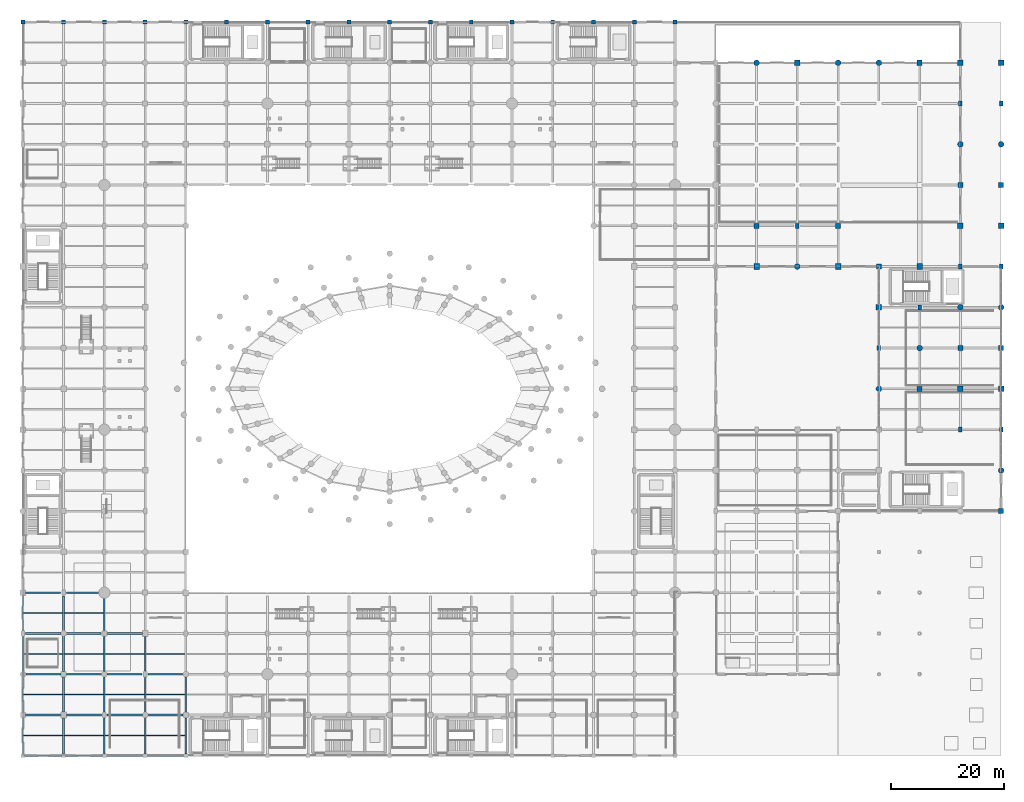
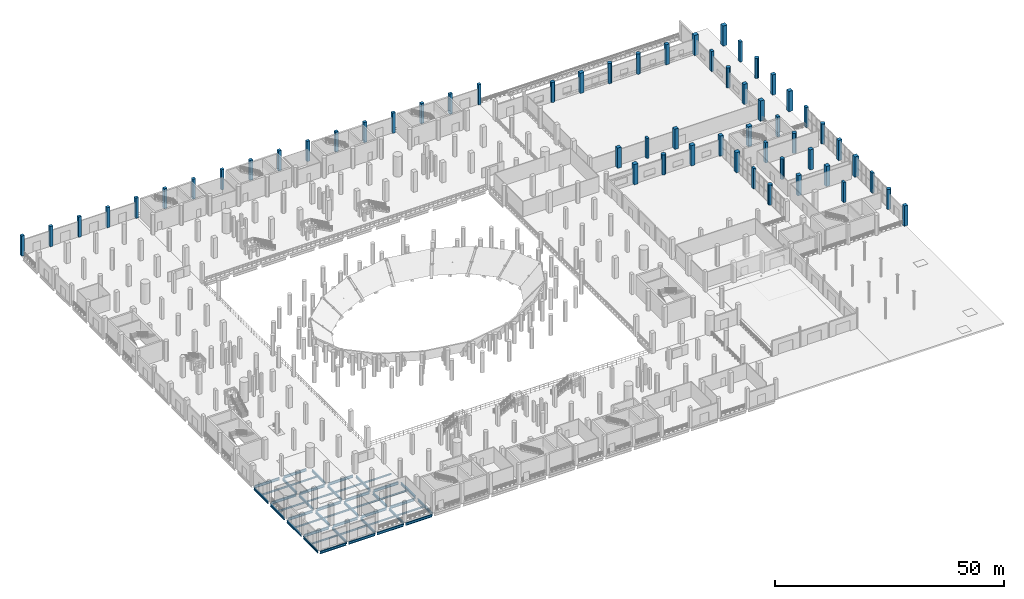
# One storey, part 5 of 58: 58 columns, 48 beams.
"""IFC4 building model written with IfcOpenShell, lengths in metres."""

import ifcopenshell
import ifcopenshell.guid

model = None  # the IFC model being written
_history = None  # IfcOwnerHistory: only IFC2X3 demands one
_inside = {}  # id of a spatial element -> (the spatial element, [elements in it])
_under = {}  # id of a project, library or spatial element -> (it, [spatial elements below it])
_declared = {}  # id of a project -> (the project, [libraries it declares])
_typed = {}  # id of a type object -> (the type object, [elements of that type])
_made_of = {}  # id of a material, layer set ... -> (it, [elements and type objects made of it])


def new_model(schema):
    """Start an empty IFC model of exactly this schema.

    Asked for "IFC4X3", IfcOpenShell would pick the latest addendum, in which some entities
    have other attributes; the version numbers below select the first issue.
    IFC2X3 requires an IfcOwnerHistory on every rooted entity: one is made here for all.
    """
    global model, _history
    if schema == "IFC4X3":
        model = ifcopenshell.file(schema_version=(4, 3, 0, 0))
    else:
        model = ifcopenshell.file(schema=schema)
    _inside.clear()
    _under.clear()
    _declared.clear()
    _typed.clear()
    _made_of.clear()
    _history = None
    if model.schema == "IFC2X3":
        org = make("IfcOrganization", Name="unknown")
        user = make(
            "IfcPersonAndOrganization",
            ThePerson=make("IfcPerson", FamilyName="unknown"),
            TheOrganization=org,
        )
        app = make(
            "IfcApplication",
            ApplicationDeveloper=org,
            Version="unknown",
            ApplicationFullName="unknown",
            ApplicationIdentifier="unknown",
        )
        _history = make(
            "IfcOwnerHistory",
            OwningUser=user,
            OwningApplication=app,
            ChangeAction="ADDED",
            CreationDate=0,
        )
    return model


def make(cls, **values):
    """One entity of the class cls with the attributes given. An attribute that is None is left unset."""
    return model.create_entity(
        cls, **{name: value for name, value in values.items() if value is not None}
    )


def rooted(cls, **values):
    """An entity with a GlobalId (a new one), such as an element, a storey or a relation."""
    return make(cls, GlobalId=ifcopenshell.guid.new(), OwnerHistory=_history, **values)


def si_unit(unit_type, name, prefix=None):
    """IfcSIUnit, for example si_unit("LENGTHUNIT", "METRE", prefix="MILLI")."""
    return make("IfcSIUnit", UnitType=unit_type, Prefix=prefix, Name=name)


def assignment(units):
    """IfcUnitAssignment: the units of a project."""
    return None if units is None else make("IfcUnitAssignment", Units=units)


def point(xyz):
    """IfcCartesianPoint."""
    return None if xyz is None else make("IfcCartesianPoint", Coordinates=xyz)


def direction(xyz):
    """IfcDirection."""
    return None if xyz is None else make("IfcDirection", DirectionRatios=xyz)


def frame(location, z_axis=None, x_axis=None):
    """IfcAxis2Placement3D, a coordinate frame: its origin and axes. An axis left out is left unset."""
    return make(
        "IfcAxis2Placement3D",
        Location=point(location),
        Axis=direction(z_axis),
        RefDirection=direction(x_axis),
    )


def frame_2d(location, x_axis=None):
    """IfcAxis2Placement2D, a coordinate frame in the plane: its origin and x axis."""
    return make(
        "IfcAxis2Placement2D", Location=point(location), RefDirection=direction(x_axis)
    )


def origin():
    """The frame at (0, 0, 0) with its axes left unset."""
    return frame((0.0, 0.0, 0.0))


def origin_2d():
    """The frame at (0, 0) in the plane with its x axis left unset."""
    return frame_2d((0.0, 0.0))


def place(relative_to, where):
    """IfcLocalPlacement: puts the frame where relative to a parent placement (None: the world)."""
    return make(
        "IfcLocalPlacement", PlacementRelTo=relative_to, RelativePlacement=where
    )


def context(
    kind, dimensions, precision=None, world=None, true_north=None, identifier=None
):
    """IfcGeometricRepresentationContext, for example the 3D "Model" context."""
    return make(
        "IfcGeometricRepresentationContext",
        ContextIdentifier=identifier,
        ContextType=kind,
        CoordinateSpaceDimension=dimensions,
        Precision=precision,
        WorldCoordinateSystem=world,
        TrueNorth=true_north,
    )


def subcontext(parent, identifier, kind, view, scale=None):
    """IfcGeometricRepresentationSubContext, for example "Body" below "Model"."""
    return make(
        "IfcGeometricRepresentationSubContext",
        ContextIdentifier=identifier,
        ContextType=kind,
        ParentContext=parent,
        TargetScale=scale,
        TargetView=view,
    )


def project(units=None, contexts=None):
    """IfcProject with its units and contexts."""
    return rooted(
        "IfcProject",
        Name="project",
        RepresentationContexts=contexts,
        UnitsInContext=assignment(units),
    )


def spatial(cls, under=None, at=None, **own):
    """A site, building, storey or space (cls), placed at a placement, below another one or the project."""
    s = rooted(cls, ObjectPlacement=at, **own)
    if under is not None:
        _under.setdefault(under.id(), (under, []))[1].append(s)
    return s


def profile(cls, at=None, kind="AREA", **sizes):
    """A parametric profile (cls). Its sizes go by their IFC names, for example OverallWidth=200.0."""
    return make(cls, ProfileType=kind, Position=at, **sizes)


def rectangle(**sizes):
    """IfcRectangleProfileDef."""
    return profile("IfcRectangleProfileDef", **sizes)


def circle(**sizes):
    """IfcCircleProfileDef."""
    return profile("IfcCircleProfileDef", **sizes)


def i_section(**sizes):
    """IfcIShapeProfileDef."""
    return profile("IfcIShapeProfileDef", **sizes)


def extrude(swept, where, along, depth):
    """IfcExtrudedAreaSolid: the profile swept, set in the frame where, extruded along a direction by depth."""
    return make(
        "IfcExtrudedAreaSolid",
        SweptArea=swept,
        Position=where,
        ExtrudedDirection=direction(along),
        Depth=depth,
    )


def shape(context_of_items, identifier, shape_type, items):
    """IfcShapeRepresentation: the items that make up one representation, for example the "Body"."""
    return make(
        "IfcShapeRepresentation",
        ContextOfItems=context_of_items,
        RepresentationIdentifier=identifier,
        RepresentationType=shape_type,
        Items=items,
    )


def material(Name=None, Category=None):
    """IfcMaterial."""
    return make("IfcMaterial", Name=Name, Category=Category)


def material_profile(
    of_material, cross_section, Name=None, Category=None, Priority=None
):
    """IfcMaterialProfile: a cross section and its material."""
    return make(
        "IfcMaterialProfile",
        Name=Name,
        Material=of_material,
        Profile=cross_section,
        Priority=Priority,
        Category=Category,
    )


def profile_set(profiles, Name=None, composite=None):
    """IfcMaterialProfileSet."""
    return make(
        "IfcMaterialProfileSet",
        Name=Name,
        MaterialProfiles=profiles,
        CompositeProfile=composite,
    )


def made_of(thing, what):
    """Note that an element or type object is made of a material, layer set ...; save() writes the relation."""
    if what is not None:
        _made_of.setdefault(what.id(), (what, []))[1].append(thing)
    return thing


def type_object(cls, material=None, **own):
    """A type object (cls), such as IfcWallType, which elements share."""
    return made_of(rooted(cls, **own), material)


def element(
    cls,
    number,
    at=None,
    inside=None,
    cuts=None,
    type_object=None,
    material=None,
    context=None,
    identifier="Body",
    shape_type=None,
    held_by="IfcProductDefinitionShape",
    body=None,
    shapes=None,
    **own,
):
    """One element of the class cls, such as IfcWall. Its Tag is "e" and its number.

    at: its placement. inside: the storey or other place that contains it. cuts: it is an
    opening in that element (IfcRelVoidsElement). A single representation is given by context,
    identifier, shape_type and body (its items); several are given by shapes. held_by: the class
    of the entity that holds the representations. save() writes the other relations.
    """
    e = rooted(cls, Tag="e%d" % number, ObjectPlacement=at, **own)
    if body is not None:
        shapes = [shape(context, identifier, shape_type, body)]
    if shapes is not None:
        e.Representation = make(held_by, Representations=shapes)
    if inside is not None:
        _inside.setdefault(inside.id(), (inside, []))[1].append(e)
    if cuts is not None:
        rooted(
            "IfcRelVoidsElement", RelatingBuildingElement=cuts, RelatedOpeningElement=e
        )
    if type_object is not None:
        _typed.setdefault(type_object.id(), (type_object, []))[1].append(e)
    return made_of(e, material)


def aggregate(whole, parts):
    """IfcRelAggregates: a whole, such as a stair, and the parts it consists of."""
    return rooted("IfcRelAggregates", RelatingObject=whole, RelatedObjects=parts)


def save(model, path):
    """Write the relations noted so far, then the file.

    IfcRelAggregates (storeys below a building ...), IfcRelContainedInSpatialStructure (elements
    in a storey), IfcRelDefinesByType, IfcRelAssociatesMaterial and IfcRelDeclares: one each for
    every whole, place, type object, material and project.
    """
    for whole, parts in _under.values():
        aggregate(whole, parts)
    for where, things in _inside.values():
        rooted(
            "IfcRelContainedInSpatialStructure",
            RelatedElements=things,
            RelatingStructure=where,
        )
    for kind, things in _typed.values():
        rooted("IfcRelDefinesByType", RelatedObjects=things, RelatingType=kind)
    for what, things in _made_of.values():
        rooted("IfcRelAssociatesMaterial", RelatedObjects=things, RelatingMaterial=what)
    for by, libraries in _declared.values():
        rooted("IfcRelDeclares", RelatingContext=by, RelatedDefinitions=libraries)
    model.write(path)


model = new_model("IFC4")

# Units and contexts
model_context = context("Model", 3, precision=1e-05, world=origin(), true_north=direction((0.0, 1.0)))
body_context = subcontext(model_context, "Body", "Model", "MODEL_VIEW")
ifc_project = project(units=[si_unit("LENGTHUNIT", "METRE"), si_unit("AREAUNIT", "SQUARE_METRE"), si_unit("VOLUMEUNIT", "CUBIC_METRE"), si_unit("PLANEANGLEUNIT", "RADIAN"), si_unit("MASSUNIT", "GRAM", prefix="KILO")], contexts=[model_context])

# Site, building, storey
site_placement = place(None, origin())
site = spatial("IfcSite", under=ifc_project, at=site_placement, CompositionType="ELEMENT")
building_placement = place(site_placement, origin())
building = spatial("IfcBuilding", under=site, at=building_placement, Name="Qandorah Velis Arena", CompositionType="ELEMENT")
storey_placement = place(building_placement, origin())
storey = spatial("IfcBuildingStorey", under=building, at=storey_placement, Name="L00", CompositionType="ELEMENT", Elevation=0.0)

# Columns
ifc_material_1 = material(Name="Concrete C40/50", Category="concrete")
ifc_material_profile_1 = material_profile(ifc_material_1, rectangle(XDim=1.0, YDim=1.0, at=origin_2d()), Name="RC COL 1000x1000")
ifc_profile_set_1 = profile_set([ifc_material_profile_1], Name="Concrete C40/50")
column_type_1 = type_object("IfcColumnType", Name="STR-COL-RC1000", PredefinedType="COLUMN", material=ifc_profile_set_1)
for number, where, z_axis, x_axis, name in (
    (1, (129.60009765625, 86.39990234375, 0.0), (0.0, 0.0, 1.0), (1.0, 0.0, 0.0), "Structural column L00-224"),
    (2, (136.800048828125, 122.39990234375, 0.0), (0.0, 0.0, 1.0), (1.0, 0.0, 0.0), "Structural column L00-232"),
    (3, (144.0, 86.39990234375, 0.0), (0.0, 0.0, 1.0), (1.0, 0.0, 0.0), "Structural column L00-240"),
    (4, (151.199951171875, 79.199951171875, 0.0), (0.0, 0.0, 1.0), (1.0, 0.0, 0.0), "Structural column L00-252"),
    (5, (158.39990234375, 86.39990234375, 0.0), (0.0, 0.0, 1.0), (1.0, 0.0, 0.0), "Structural column L00-260"),
    (6, (165.60009765625, 64.800048828125, 0.0), (0.0, 0.0, 1.0), (1.0, 0.0, 0.0), "Structural column L00-264"),
    (7, (165.60009765625, 93.60009765625, 0.0), (0.0, 0.0, 1.0), (1.0, 0.0, 0.0), "Structural column L00-268"),
    (8, (165.60009765625, 122.39990234375, 0.0), (0.0, 0.0, 1.0), (1.0, 0.0, 0.0), "Structural column L00-272"),
    (9, (172.800048828125, 64.800048828125, 0.0), (0.0, 0.0, 1.0), (1.0, 0.0, 0.0), "Structural column L00-276"),
    (10, (172.800048828125, 93.60009765625, 0.0), (0.0, 0.0, 1.0), (1.0, 0.0, 0.0), "Structural column L00-284"),
    (11, (172.800048828125, 122.39990234375, 0.0), (0.0, 0.0, 1.0), (1.0, 0.0, 0.0), "Structural column L00-288"),
):
    element("IfcColumn", number, at=place(storey_placement, frame(where, z_axis=z_axis, x_axis=x_axis)), inside=storey, type_object=column_type_1, Name=name, PredefinedType="COLUMN", context=body_context, shape_type="SweptSolid", body=[
        extrude(rectangle(XDim=1.0, YDim=1.0, at=origin_2d()), origin(), (0.0, 0.0, 1.0), 5.39990234375),
    ])
ifc_material_profile_2 = material_profile(ifc_material_1, rectangle(XDim=0.60009765625, YDim=0.89990234375, at=origin_2d()), Name="RC COL 600x900")
ifc_profile_set_2 = profile_set([ifc_material_profile_2], Name="Concrete C40/50")
column_type_2 = type_object("IfcColumnType", Name="STR-COL-RC600X900", PredefinedType="COLUMN", material=ifc_profile_set_2)
for number, where, z_axis, x_axis, name in (
    (12, (136.800048828125, 93.60009765625, 0.0), (0.0, 0.0, 1.0), (1.0, 0.0, 0.0), "Structural column L00-231"),
    (13, (151.199951171875, 72.0, 0.0), (0.0, 0.0, 1.0), (1.0, 0.0, 0.0), "Structural column L00-251"),
    (14, (158.39990234375, 79.199951171875, 0.0), (0.0, 0.0, 1.0), (1.0, 0.0, 0.0), "Structural column L00-259"),
    (15, (165.60009765625, 57.60009765625, 0.0), (0.0, 0.0, 1.0), (1.0, 0.0, 0.0), "Structural column L00-263"),
    (16, (165.60009765625, 86.39990234375, 0.0), (0.0, 0.0, 1.0), (1.0, 0.0, 0.0), "Structural column L00-267"),
    (17, (165.60009765625, 115.199951171875, 0.0), (0.0, 0.0, 1.0), (1.0, 0.0, 0.0), "Structural column L00-271"),
    (18, (172.800048828125, 57.60009765625, 0.0), (0.0, 0.0, 1.0), (1.0, 0.0, 0.0), "Structural column L00-275"),
    (19, (172.800048828125, 86.39990234375, 0.0), (0.0, 0.0, 1.0), (1.0, 0.0, 0.0), "Structural column L00-279"),
    (20, (172.800048828125, 115.199951171875, 0.0), (0.0, 0.0, 1.0), (1.0, 0.0, 0.0), "Structural column L00-287"),
):
    element("IfcColumn", number, at=place(storey_placement, frame(where, z_axis=z_axis, x_axis=x_axis)), inside=storey, type_object=column_type_2, Name=name, PredefinedType="COLUMN", context=body_context, shape_type="SweptSolid", body=[
        extrude(rectangle(XDim=0.60009765625, YDim=0.89990234375, at=origin_2d()), origin(), (0.0, 0.0, 1.0), 5.39990234375),
    ])
ifc_material_profile_3 = material_profile(ifc_material_1, rectangle(XDim=0.699951171875, YDim=0.699951171875, at=origin_2d()), Name="RC COL 700x700")
ifc_profile_set_3 = profile_set([ifc_material_profile_3], Name="Concrete C40/50")
column_type_3 = type_object("IfcColumnType", Name="STR-COL-RC700", PredefinedType="COLUMN", material=ifc_profile_set_3)
for number, where, z_axis, x_axis, name in (
    (21, (0.0, 129.60009765625, 0.0), (0.0, 0.0, 1.0), (1.0, 0.0, 0.0), "Structural column L00-018"),
    (22, (7.199951171875, 129.60009765625, 0.0), (0.0, 0.0, 1.0), (1.0, 0.0, 0.0), "Structural column L00-037"),
    (23, (14.39990234375, 129.60009765625, 0.0), (0.0, 0.0, 1.0), (1.0, 0.0, 0.0), "Structural column L00-056"),
    (24, (21.60009765625, 129.60009765625, 0.0), (0.0, 0.0, 1.0), (1.0, 0.0, 0.0), "Structural column L00-075"),
    (25, (28.800048828125, 129.60009765625, 0.0), (0.0, 0.0, 1.0), (1.0, 0.0, 0.0), "Structural column L00-087"),
    (26, (36.0, 129.60009765625, 0.0), (0.0, 0.0, 1.0), (1.0, 0.0, 0.0), "Structural column L00-095"),
    (27, (43.199951171875, 129.60009765625, 0.0), (0.0, 0.0, 1.0), (1.0, 0.0, 0.0), "Structural column L00-103"),
    (28, (50.39990234375, 129.60009765625, 0.0), (0.0, 0.0, 1.0), (1.0, 0.0, 0.0), "Structural column L00-111"),
    (29, (57.60009765625, 129.60009765625, 0.0), (0.0, 0.0, 1.0), (1.0, 0.0, 0.0), "Structural column L00-119"),
    (30, (64.800048828125, 129.60009765625, 0.0), (0.0, 0.0, 1.0), (1.0, 0.0, 0.0), "Structural column L00-127"),
    (31, (72.0, 129.60009765625, 0.0), (0.0, 0.0, 1.0), (1.0, 0.0, 0.0), "Structural column L00-135"),
    (32, (79.199951171875, 129.60009765625, 0.0), (0.0, 0.0, 1.0), (1.0, 0.0, 0.0), "Structural column L00-143"),
    (33, (86.39990234375, 129.60009765625, 0.0), (0.0, 0.0, 1.0), (1.0, 0.0, 0.0), "Structural column L00-151"),
    (34, (93.60009765625, 129.60009765625, 0.0), (0.0, 0.0, 1.0), (1.0, 0.0, 0.0), "Structural column L00-159"),
    (35, (100.800048828125, 129.60009765625, 0.0), (0.0, 0.0, 1.0), (1.0, 0.0, 0.0), "Structural column L00-171"),
    (36, (108.0, 129.60009765625, 0.0), (0.0, 0.0, 1.0), (1.0, 0.0, 0.0), "Structural column L00-190"),
    (37, (115.199951171875, 129.60009765625, 0.0), (0.0, 0.0, 1.0), (1.0, 0.0, 0.0), "Structural column L00-208"),
):
    element("IfcColumn", number, at=place(storey_placement, frame(where, z_axis=z_axis, x_axis=x_axis)), inside=storey, type_object=column_type_3, Name=name, PredefinedType="COLUMN", context=body_context, shape_type="SweptSolid", body=[
        extrude(rectangle(XDim=0.699951171875, YDim=0.699951171875, at=origin_2d()), origin(), (0.0, 0.0, 1.0), 5.39990234375),
    ])
ifc_material_profile_4 = material_profile(ifc_material_1, rectangle(XDim=0.89990234375, YDim=0.89990234375, at=origin_2d()), Name="RC COL 900x900")
ifc_profile_set_4 = profile_set([ifc_material_profile_4], Name="Concrete C40/50")
column_type_4 = type_object("IfcColumnType", Name="STR-COL-RC900", PredefinedType="COLUMN", material=ifc_profile_set_4)
for number, where, z_axis, x_axis, name in (
    (38, (129.60009765625, 93.60009765625, 0.0), (0.0, 0.0, 1.0), (1.0, 0.0, 0.0), "Structural column L00-225"),
    (39, (144.0, 93.60009765625, 0.0), (0.0, 0.0, 1.0), (1.0, 0.0, 0.0), "Structural column L00-241"),
    (40, (151.199951171875, 86.39990234375, 0.0), (0.0, 0.0, 1.0), (1.0, 0.0, 0.0), "Structural column L00-253"),
    (41, (158.39990234375, 64.800048828125, 0.0), (0.0, 0.0, 1.0), (1.0, 0.0, 0.0), "Structural column L00-257"),
    (42, (158.39990234375, 122.39990234375, 0.0), (0.0, 0.0, 1.0), (1.0, 0.0, 0.0), "Structural column L00-261"),
    (43, (165.60009765625, 72.0, 0.0), (0.0, 0.0, 1.0), (1.0, 0.0, 0.0), "Structural column L00-265"),
    (44, (165.60009765625, 100.800048828125, 0.0), (0.0, 0.0, 1.0), (1.0, 0.0, 0.0), "Structural column L00-269"),
    (45, (172.800048828125, 43.199951171875, 0.0), (0.0, 0.0, 1.0), (1.0, 0.0, 0.0), "Structural column L00-273"),
    (46, (172.800048828125, 72.0, 0.0), (0.0, 0.0, 1.0), (1.0, 0.0, 0.0), "Structural column L00-277"),
    (47, (172.800048828125, 100.800048828125, 0.0), (0.0, 0.0, 1.0), (1.0, 0.0, 0.0), "Structural column L00-285"),
):
    element("IfcColumn", number, at=place(storey_placement, frame(where, z_axis=z_axis, x_axis=x_axis)), inside=storey, type_object=column_type_4, Name=name, PredefinedType="COLUMN", context=body_context, shape_type="SweptSolid", body=[
        extrude(rectangle(XDim=0.89990234375, YDim=0.89990234375, at=origin_2d()), origin(), (0.0, 0.0, 1.0), 5.39990234375),
    ])
ifc_material_profile_5 = material_profile(ifc_material_1, circle(Radius=0.5, at=origin_2d()), Name="RC D1000")
ifc_profile_set_5 = profile_set([ifc_material_profile_5], Name="Concrete C40/50")
column_type_5 = type_object("IfcColumnType", Name="STR-COL-RCD1000", PredefinedType="COLUMN", material=ifc_profile_set_5)
for number, where, z_axis, x_axis, name in (
    (48, (129.60009765625, 122.39990234375, 0.0), (0.0, 0.0, 1.0), (1.0, 0.0, 0.0), "Structural column L00-226"),
    (49, (136.800048828125, 86.39990234375, 0.0), (0.0, 0.0, 1.0), (1.0, 0.0, 0.0), "Structural column L00-230"),
    (50, (144.0, 122.39990234375, 0.0), (0.0, 0.0, 1.0), (1.0, 0.0, 0.0), "Structural column L00-242"),
    (51, (151.199951171875, 64.800048828125, 0.0), (0.0, 0.0, 1.0), (1.0, 0.0, 0.0), "Structural column L00-250"),
    (52, (151.199951171875, 122.39990234375, 0.0), (0.0, 0.0, 1.0), (1.0, 0.0, 0.0), "Structural column L00-254"),
    (53, (158.39990234375, 72.0, 0.0), (0.0, 0.0, 1.0), (1.0, 0.0, 0.0), "Structural column L00-258"),
    (54, (165.60009765625, 79.199951171875, 0.0), (0.0, 0.0, 1.0), (1.0, 0.0, 0.0), "Structural column L00-266"),
    (55, (165.60009765625, 108.0, 0.0), (0.0, 0.0, 1.0), (1.0, 0.0, 0.0), "Structural column L00-270"),
    (56, (172.800048828125, 50.39990234375, 0.0), (0.0, 0.0, 1.0), (1.0, 0.0, 0.0), "Structural column L00-274"),
    (57, (172.800048828125, 79.199951171875, 0.0), (0.0, 0.0, 1.0), (1.0, 0.0, 0.0), "Structural column L00-278"),
    (58, (172.800048828125, 108.0, 0.0), (0.0, 0.0, 1.0), (1.0, 0.0, 0.0), "Structural column L00-286"),
):
    element("IfcColumn", number, at=place(storey_placement, frame(where, z_axis=z_axis, x_axis=x_axis)), inside=storey, type_object=column_type_5, Name=name, PredefinedType="COLUMN", context=body_context, shape_type="SweptSolid", body=[
        extrude(circle(Radius=0.5, at=origin_2d()), origin(), (0.0, 0.0, 1.0), 5.39990234375),
    ])

# Beams
ifc_material_2 = material(Name="Steel S355", Category="steel")
ifc_material_profile_6 = material_profile(ifc_material_2, i_section(OverallWidth=0.300048828125, OverallDepth=0.64990234375, WebThickness=0.01611328125, FlangeThickness=0.031005859375, FilletRadius=0.027099609375, at=origin_2d()), Name="HEB 650")
ifc_profile_set_6 = profile_set([ifc_material_profile_6], Name="Steel S355")
beam_type_1 = type_object("IfcBeamType", Name="STR-BM-HEB650", PredefinedType="BEAM", material=ifc_profile_set_6)
beam_1_placement = place(storey_placement, frame((0.0, 0.300048828125, -0.7451171875), z_axis=(0.0, 1.0, 0.0), x_axis=(-1.0, 0.0, 0.0)))
element("IfcBeam", 59, at=beam_1_placement, inside=storey, type_object=beam_type_1, Name="Primary floor girder L00 Y-268", PredefinedType="BEAM", context=body_context, shape_type="SweptSolid", body=[
    extrude(i_section(OverallWidth=0.300048828125, OverallDepth=0.64990234375, WebThickness=0.01611328125, FlangeThickness=0.031005859375, FilletRadius=0.027099609375, at=origin_2d()), origin(), (0.0, 0.0, 1.0), 6.449951171875),
])
beam_2_placement = place(storey_placement, frame((0.0, 7.64990234375, -0.7451171875), z_axis=(0.0, 1.0, 0.0), x_axis=(-1.0, 0.0, 0.0)))
element("IfcBeam", 60, at=beam_2_placement, inside=storey, type_object=beam_type_1, Name="Primary floor girder L00 Y-269", PredefinedType="BEAM", context=body_context, shape_type="SweptSolid", body=[
    extrude(i_section(OverallWidth=0.300048828125, OverallDepth=0.64990234375, WebThickness=0.01611328125, FlangeThickness=0.031005859375, FilletRadius=0.027099609375, at=origin_2d()), origin(), (0.0, 0.0, 1.0), 6.2001953125),
])
beam_3_placement = place(storey_placement, frame((0.0, 14.949951171875, -0.7451171875), z_axis=(0.0, 1.0, 0.0), x_axis=(-1.0, 0.0, 0.0)))
element("IfcBeam", 61, at=beam_3_placement, inside=storey, type_object=beam_type_1, Name="Primary floor girder L00 Y-270", PredefinedType="BEAM", context=body_context, shape_type="SweptSolid", body=[
    extrude(i_section(OverallWidth=0.300048828125, OverallDepth=0.64990234375, WebThickness=0.01611328125, FlangeThickness=0.031005859375, FilletRadius=0.027099609375, at=origin_2d()), origin(), (0.0, 0.0, 1.0), 6.150146484375),
])
beam_4_placement = place(storey_placement, frame((0.0, 22.10009765625, -0.7451171875), z_axis=(0.0, 1.0, 0.0), x_axis=(-1.0, 0.0, 0.0)))
element("IfcBeam", 62, at=beam_4_placement, inside=storey, type_object=beam_type_1, Name="Primary floor girder L00 Y-271", PredefinedType="BEAM", context=body_context, shape_type="SweptSolid", body=[
    extrude(i_section(OverallWidth=0.300048828125, OverallDepth=0.64990234375, WebThickness=0.01611328125, FlangeThickness=0.031005859375, FilletRadius=0.027099609375, at=origin_2d()), origin(), (0.0, 0.0, 1.0), 6.25),
])
beam_5_placement = place(storey_placement, frame((7.199951171875, 0.300048828125, -0.7451171875), z_axis=(0.0, 1.0, 0.0), x_axis=(-1.0, 0.0, 0.0)))
element("IfcBeam", 63, at=beam_5_placement, inside=storey, type_object=beam_type_1, Name="Primary floor girder L00 Y-286", PredefinedType="BEAM", context=body_context, shape_type="SweptSolid", body=[
    extrude(i_section(OverallWidth=0.300048828125, OverallDepth=0.64990234375, WebThickness=0.01611328125, FlangeThickness=0.031005859375, FilletRadius=0.027099609375, at=origin_2d()), origin(), (0.0, 0.0, 1.0), 6.349853515625),
])
beam_6_placement = place(storey_placement, frame((7.199951171875, 7.75, -0.7451171875), z_axis=(0.0, 1.0, 0.0), x_axis=(-1.0, 0.0, 0.0)))
element("IfcBeam", 64, at=beam_6_placement, inside=storey, type_object=beam_type_1, Name="Primary floor girder L00 Y-287", PredefinedType="BEAM", context=body_context, shape_type="SweptSolid", body=[
    extrude(i_section(OverallWidth=0.300048828125, OverallDepth=0.64990234375, WebThickness=0.01611328125, FlangeThickness=0.031005859375, FilletRadius=0.027099609375, at=origin_2d()), origin(), (0.0, 0.0, 1.0), 6.14990234375),
])
beam_7_placement = place(storey_placement, frame((7.199951171875, 14.89990234375, -0.7451171875), z_axis=(0.0, 1.0, 0.0), x_axis=(-1.0, 0.0, 0.0)))
element("IfcBeam", 65, at=beam_7_placement, inside=storey, type_object=beam_type_1, Name="Primary floor girder L00 Y-288", PredefinedType="BEAM", context=body_context, shape_type="SweptSolid", body=[
    extrude(i_section(OverallWidth=0.300048828125, OverallDepth=0.64990234375, WebThickness=0.01611328125, FlangeThickness=0.031005859375, FilletRadius=0.027099609375, at=origin_2d()), origin(), (0.0, 0.0, 1.0), 6.25),
])
beam_8_placement = place(storey_placement, frame((7.199951171875, 22.050048828125, -0.7451171875), z_axis=(0.0, 1.0, 0.0), x_axis=(-1.0, 0.0, 0.0)))
element("IfcBeam", 66, at=beam_8_placement, inside=storey, type_object=beam_type_1, Name="Primary floor girder L00 Y-289", PredefinedType="BEAM", context=body_context, shape_type="SweptSolid", body=[
    extrude(i_section(OverallWidth=0.300048828125, OverallDepth=0.64990234375, WebThickness=0.01611328125, FlangeThickness=0.031005859375, FilletRadius=0.027099609375, at=origin_2d()), origin(), (0.0, 0.0, 1.0), 6.199951171875),
])
beam_9_placement = place(storey_placement, frame((14.39990234375, 0.300048828125, -0.7451171875), z_axis=(0.0, 1.0, 0.0), x_axis=(-1.0, 0.0, 0.0)))
element("IfcBeam", 67, at=beam_9_placement, inside=storey, type_object=beam_type_1, Name="Primary floor girder L00 Y-304", PredefinedType="BEAM", context=body_context, shape_type="SweptSolid", body=[
    extrude(i_section(OverallWidth=0.300048828125, OverallDepth=0.64990234375, WebThickness=0.01611328125, FlangeThickness=0.031005859375, FilletRadius=0.027099609375, at=origin_2d()), origin(), (0.0, 0.0, 1.0), 6.39990234375),
])
beam_10_placement = place(storey_placement, frame((14.39990234375, 7.699951171875, -0.7451171875), z_axis=(0.0, 1.0, 0.0), x_axis=(-1.0, 0.0, 0.0)))
element("IfcBeam", 68, at=beam_10_placement, inside=storey, type_object=beam_type_1, Name="Primary floor girder L00 Y-305", PredefinedType="BEAM", context=body_context, shape_type="SweptSolid", body=[
    extrude(i_section(OverallWidth=0.300048828125, OverallDepth=0.64990234375, WebThickness=0.01611328125, FlangeThickness=0.031005859375, FilletRadius=0.027099609375, at=origin_2d()), origin(), (0.0, 0.0, 1.0), 6.25),
])
beam_11_placement = place(storey_placement, frame((14.39990234375, 14.85009765625, -0.7451171875), z_axis=(0.0, 1.0, 0.0), x_axis=(-1.0, 0.0, 0.0)))
element("IfcBeam", 69, at=beam_11_placement, inside=storey, type_object=beam_type_1, Name="Primary floor girder L00 Y-306", PredefinedType="BEAM", context=body_context, shape_type="SweptSolid", body=[
    extrude(i_section(OverallWidth=0.300048828125, OverallDepth=0.64990234375, WebThickness=0.01611328125, FlangeThickness=0.031005859375, FilletRadius=0.027099609375, at=origin_2d()), origin(), (0.0, 0.0, 1.0), 6.199951171875),
])
beam_12_placement = place(storey_placement, frame((14.39990234375, 22.14990234375, -0.7451171875), z_axis=(0.0, 1.0, 0.0), x_axis=(-1.0, 0.0, 0.0)))
element("IfcBeam", 70, at=beam_12_placement, inside=storey, type_object=beam_type_1, Name="Primary floor girder L00 Y-307", PredefinedType="BEAM", context=body_context, shape_type="SweptSolid", body=[
    extrude(i_section(OverallWidth=0.300048828125, OverallDepth=0.64990234375, WebThickness=0.01611328125, FlangeThickness=0.031005859375, FilletRadius=0.027099609375, at=origin_2d()), origin(), (0.0, 0.0, 1.0), 5.7001953125),
])
beam_13_placement = place(storey_placement, frame((21.60009765625, 0.300048828125, -0.7451171875), z_axis=(0.0, 1.0, 0.0), x_axis=(-1.0, 0.0, 0.0)))
element("IfcBeam", 71, at=beam_13_placement, inside=storey, type_object=beam_type_1, Name="Primary floor girder L00 Y-322", PredefinedType="BEAM", context=body_context, shape_type="SweptSolid", body=[
    extrude(i_section(OverallWidth=0.300048828125, OverallDepth=0.64990234375, WebThickness=0.01611328125, FlangeThickness=0.031005859375, FilletRadius=0.027099609375, at=origin_2d()), origin(), (0.0, 0.0, 1.0), 6.449951171875),
])
beam_14_placement = place(storey_placement, frame((21.60009765625, 7.64990234375, -0.7451171875), z_axis=(0.0, 1.0, 0.0), x_axis=(-1.0, 0.0, 0.0)))
element("IfcBeam", 72, at=beam_14_placement, inside=storey, type_object=beam_type_1, Name="Primary floor girder L00 Y-323", PredefinedType="BEAM", context=body_context, shape_type="SweptSolid", body=[
    extrude(i_section(OverallWidth=0.300048828125, OverallDepth=0.64990234375, WebThickness=0.01611328125, FlangeThickness=0.031005859375, FilletRadius=0.027099609375, at=origin_2d()), origin(), (0.0, 0.0, 1.0), 6.2001953125),
])
beam_15_placement = place(storey_placement, frame((21.60009765625, 14.949951171875, -0.7451171875), z_axis=(0.0, 1.0, 0.0), x_axis=(-1.0, 0.0, 0.0)))
element("IfcBeam", 73, at=beam_15_placement, inside=storey, type_object=beam_type_1, Name="Primary floor girder L00 Y-324", PredefinedType="BEAM", context=body_context, shape_type="SweptSolid", body=[
    extrude(i_section(OverallWidth=0.300048828125, OverallDepth=0.64990234375, WebThickness=0.01611328125, FlangeThickness=0.031005859375, FilletRadius=0.027099609375, at=origin_2d()), origin(), (0.0, 0.0, 1.0), 6.150146484375),
])
beam_16_placement = place(storey_placement, frame((28.800048828125, 0.300048828125, -0.7451171875), z_axis=(0.0, 1.0, 0.0), x_axis=(-1.0, 0.0, 0.0)))
element("IfcBeam", 74, at=beam_16_placement, inside=storey, type_object=beam_type_1, Name="Primary floor girder L00 Y-340", PredefinedType="BEAM", context=body_context, shape_type="SweptSolid", body=[
    extrude(i_section(OverallWidth=0.300048828125, OverallDepth=0.64990234375, WebThickness=0.01611328125, FlangeThickness=0.031005859375, FilletRadius=0.027099609375, at=origin_2d()), origin(), (0.0, 0.0, 1.0), 6.349853515625),
])
beam_17_placement = place(storey_placement, frame((28.800048828125, 7.75, -0.7451171875), z_axis=(0.0, 1.0, 0.0), x_axis=(-1.0, 0.0, 0.0)))
element("IfcBeam", 75, at=beam_17_placement, inside=storey, type_object=beam_type_1, Name="Primary floor girder L00 Y-341", PredefinedType="BEAM", context=body_context, shape_type="SweptSolid", body=[
    extrude(i_section(OverallWidth=0.300048828125, OverallDepth=0.64990234375, WebThickness=0.01611328125, FlangeThickness=0.031005859375, FilletRadius=0.027099609375, at=origin_2d()), origin(), (0.0, 0.0, 1.0), 6.199951171875),
])
ifc_material_profile_7 = material_profile(ifc_material_2, i_section(OverallWidth=0.300048828125, OverallDepth=0.699951171875, WebThickness=0.01708984375, FlangeThickness=0.031982421875, FilletRadius=0.027099609375, at=origin_2d()), Name="HEB 700")
ifc_profile_set_7 = profile_set([ifc_material_profile_7], Name="Steel S355")
beam_type_2 = type_object("IfcBeamType", Name="STR-BM-HEB700", PredefinedType="BEAM", material=ifc_profile_set_7)
beam_18_placement = place(storey_placement, frame((0.300048828125, 0.0, -0.77001953125), z_axis=(1.0, 0.0, 0.0), x_axis=(0.0, 1.0, 0.0)))
element("IfcBeam", 76, at=beam_18_placement, inside=storey, type_object=beam_type_2, Name="Primary floor girder L00 X-001", PredefinedType="BEAM", context=body_context, shape_type="SweptSolid", body=[
    extrude(i_section(OverallWidth=0.300048828125, OverallDepth=0.699951171875, WebThickness=0.01708984375, FlangeThickness=0.031982421875, FilletRadius=0.027099609375, at=origin_2d()), origin(), (0.0, 0.0, 1.0), 6.599853515625),
])
for number, where, z_axis, x_axis, name in (
    (77, (7.5, 0.0, -0.77001953125), (1.0, 0.0, 0.0), (0.0, 1.0, 0.0), "Primary floor girder L00 X-002"),
    (78, (14.699951171875, 0.0, -0.77001953125), (1.0, 0.0, 0.0), (0.0, 1.0, 0.0), "Primary floor girder L00 X-003"),
    (79, (21.89990234375, 0.0, -0.77001953125), (1.0, 0.0, 0.0), (0.0, 1.0, 0.0), "Primary floor girder L00 X-004"),
):
    element("IfcBeam", number, at=place(storey_placement, frame(where, z_axis=z_axis, x_axis=x_axis)), inside=storey, type_object=beam_type_2, Name=name, PredefinedType="BEAM", context=body_context, shape_type="SweptSolid", body=[
        extrude(i_section(OverallWidth=0.300048828125, OverallDepth=0.699951171875, WebThickness=0.01708984375, FlangeThickness=0.031982421875, FilletRadius=0.027099609375, at=origin_2d()), origin(), (0.0, 0.0, 1.0), 6.60009765625),
    ])
beam_19_placement = place(storey_placement, frame((0.449951171875, 7.199951171875, -0.77001953125), z_axis=(1.0, 0.0, 0.0), x_axis=(0.0, 1.0, 0.0)))
element("IfcBeam", 80, at=beam_19_placement, inside=storey, type_object=beam_type_2, Name="Primary floor girder L00 X-017", PredefinedType="BEAM", context=body_context, shape_type="SweptSolid", body=[
    extrude(i_section(OverallWidth=0.300048828125, OverallDepth=0.699951171875, WebThickness=0.01708984375, FlangeThickness=0.031982421875, FilletRadius=0.027099609375, at=origin_2d()), origin(), (0.0, 0.0, 1.0), 6.199951171875),
])
beam_20_placement = place(storey_placement, frame((7.75, 7.199951171875, -0.77001953125), z_axis=(1.0, 0.0, 0.0), x_axis=(0.0, 1.0, 0.0)))
element("IfcBeam", 81, at=beam_20_placement, inside=storey, type_object=beam_type_2, Name="Primary floor girder L00 X-018", PredefinedType="BEAM", context=body_context, shape_type="SweptSolid", body=[
    extrude(i_section(OverallWidth=0.300048828125, OverallDepth=0.699951171875, WebThickness=0.01708984375, FlangeThickness=0.031982421875, FilletRadius=0.027099609375, at=origin_2d()), origin(), (0.0, 0.0, 1.0), 6.14990234375),
])
beam_21_placement = place(storey_placement, frame((14.89990234375, 7.199951171875, -0.77001953125), z_axis=(1.0, 0.0, 0.0), x_axis=(0.0, 1.0, 0.0)))
element("IfcBeam", 82, at=beam_21_placement, inside=storey, type_object=beam_type_2, Name="Primary floor girder L00 X-019", PredefinedType="BEAM", context=body_context, shape_type="SweptSolid", body=[
    extrude(i_section(OverallWidth=0.300048828125, OverallDepth=0.699951171875, WebThickness=0.01708984375, FlangeThickness=0.031982421875, FilletRadius=0.027099609375, at=origin_2d()), origin(), (0.0, 0.0, 1.0), 6.25),
])
beam_22_placement = place(storey_placement, frame((22.050048828125, 7.199951171875, -0.77001953125), z_axis=(1.0, 0.0, 0.0), x_axis=(0.0, 1.0, 0.0)))
element("IfcBeam", 83, at=beam_22_placement, inside=storey, type_object=beam_type_2, Name="Primary floor girder L00 X-020", PredefinedType="BEAM", context=body_context, shape_type="SweptSolid", body=[
    extrude(i_section(OverallWidth=0.300048828125, OverallDepth=0.699951171875, WebThickness=0.01708984375, FlangeThickness=0.031982421875, FilletRadius=0.027099609375, at=origin_2d()), origin(), (0.0, 0.0, 1.0), 6.199951171875),
])
beam_23_placement = place(storey_placement, frame((0.550048828125, 14.39990234375, -0.77001953125), z_axis=(1.0, 0.0, 0.0), x_axis=(0.0, 1.0, 0.0)))
element("IfcBeam", 84, at=beam_23_placement, inside=storey, type_object=beam_type_2, Name="Primary floor girder L00 X-033", PredefinedType="BEAM", context=body_context, shape_type="SweptSolid", body=[
    extrude(i_section(OverallWidth=0.300048828125, OverallDepth=0.699951171875, WebThickness=0.01708984375, FlangeThickness=0.031982421875, FilletRadius=0.027099609375, at=origin_2d()), origin(), (0.0, 0.0, 1.0), 6.14990234375),
])
beam_24_placement = place(storey_placement, frame((7.699951171875, 14.39990234375, -0.77001953125), z_axis=(1.0, 0.0, 0.0), x_axis=(0.0, 1.0, 0.0)))
element("IfcBeam", 85, at=beam_24_placement, inside=storey, type_object=beam_type_2, Name="Primary floor girder L00 X-034", PredefinedType="BEAM", context=body_context, shape_type="SweptSolid", body=[
    extrude(i_section(OverallWidth=0.300048828125, OverallDepth=0.699951171875, WebThickness=0.01708984375, FlangeThickness=0.031982421875, FilletRadius=0.027099609375, at=origin_2d()), origin(), (0.0, 0.0, 1.0), 6.25),
])
beam_25_placement = place(storey_placement, frame((14.85009765625, 14.39990234375, -0.77001953125), z_axis=(1.0, 0.0, 0.0), x_axis=(0.0, 1.0, 0.0)))
element("IfcBeam", 86, at=beam_25_placement, inside=storey, type_object=beam_type_2, Name="Primary floor girder L00 X-035", PredefinedType="BEAM", context=body_context, shape_type="SweptSolid", body=[
    extrude(i_section(OverallWidth=0.300048828125, OverallDepth=0.699951171875, WebThickness=0.01708984375, FlangeThickness=0.031982421875, FilletRadius=0.027099609375, at=origin_2d()), origin(), (0.0, 0.0, 1.0), 6.199951171875),
])
beam_26_placement = place(storey_placement, frame((22.14990234375, 14.39990234375, -0.77001953125), z_axis=(1.0, 0.0, 0.0), x_axis=(0.0, 1.0, 0.0)))
element("IfcBeam", 87, at=beam_26_placement, inside=storey, type_object=beam_type_2, Name="Primary floor girder L00 X-036", PredefinedType="BEAM", context=body_context, shape_type="SweptSolid", body=[
    extrude(i_section(OverallWidth=0.300048828125, OverallDepth=0.699951171875, WebThickness=0.01708984375, FlangeThickness=0.031982421875, FilletRadius=0.027099609375, at=origin_2d()), origin(), (0.0, 0.0, 1.0), 6.2001953125),
])
beam_27_placement = place(storey_placement, frame((0.5, 21.60009765625, -0.77001953125), z_axis=(1.0, 0.0, 0.0), x_axis=(0.0, 1.0, 0.0)))
element("IfcBeam", 88, at=beam_27_placement, inside=storey, type_object=beam_type_2, Name="Primary floor girder L00 X-052", PredefinedType="BEAM", context=body_context, shape_type="SweptSolid", body=[
    extrude(i_section(OverallWidth=0.300048828125, OverallDepth=0.699951171875, WebThickness=0.01708984375, FlangeThickness=0.031982421875, FilletRadius=0.027099609375, at=origin_2d()), origin(), (0.0, 0.0, 1.0), 6.25),
])
beam_28_placement = place(storey_placement, frame((7.64990234375, 21.60009765625, -0.77001953125), z_axis=(1.0, 0.0, 0.0), x_axis=(0.0, 1.0, 0.0)))
element("IfcBeam", 89, at=beam_28_placement, inside=storey, type_object=beam_type_2, Name="Primary floor girder L00 X-053", PredefinedType="BEAM", context=body_context, shape_type="SweptSolid", body=[
    extrude(i_section(OverallWidth=0.300048828125, OverallDepth=0.699951171875, WebThickness=0.01708984375, FlangeThickness=0.031982421875, FilletRadius=0.027099609375, at=origin_2d()), origin(), (0.0, 0.0, 1.0), 6.2001953125),
])
beam_29_placement = place(storey_placement, frame((14.949951171875, 21.60009765625, -0.77001953125), z_axis=(1.0, 0.0, 0.0), x_axis=(0.0, 1.0, 0.0)))
element("IfcBeam", 90, at=beam_29_placement, inside=storey, type_object=beam_type_2, Name="Primary floor girder L00 X-054", PredefinedType="BEAM", context=body_context, shape_type="SweptSolid", body=[
    extrude(i_section(OverallWidth=0.300048828125, OverallDepth=0.699951171875, WebThickness=0.01708984375, FlangeThickness=0.031982421875, FilletRadius=0.027099609375, at=origin_2d()), origin(), (0.0, 0.0, 1.0), 6.150146484375),
])
beam_30_placement = place(storey_placement, frame((0.449951171875, 28.800048828125, -0.77001953125), z_axis=(1.0, 0.0, 0.0), x_axis=(0.0, 1.0, 0.0)))
element("IfcBeam", 91, at=beam_30_placement, inside=storey, type_object=beam_type_2, Name="Primary floor girder L00 X-071", PredefinedType="BEAM", context=body_context, shape_type="SweptSolid", body=[
    extrude(i_section(OverallWidth=0.300048828125, OverallDepth=0.699951171875, WebThickness=0.01708984375, FlangeThickness=0.031982421875, FilletRadius=0.027099609375, at=origin_2d()), origin(), (0.0, 0.0, 1.0), 6.199951171875),
])
beam_31_placement = place(storey_placement, frame((7.75, 28.800048828125, -0.77001953125), z_axis=(1.0, 0.0, 0.0), x_axis=(0.0, 1.0, 0.0)))
element("IfcBeam", 92, at=beam_31_placement, inside=storey, type_object=beam_type_2, Name="Primary floor girder L00 X-072", PredefinedType="BEAM", context=body_context, shape_type="SweptSolid", body=[
    extrude(i_section(OverallWidth=0.300048828125, OverallDepth=0.699951171875, WebThickness=0.01708984375, FlangeThickness=0.031982421875, FilletRadius=0.027099609375, at=origin_2d()), origin(), (0.0, 0.0, 1.0), 5.699951171875),
])
ifc_material_profile_8 = material_profile(ifc_material_2, i_section(OverallWidth=0.18994140625, OverallDepth=0.449951171875, WebThickness=0.009521484375, FlangeThickness=0.0146484375, FilletRadius=0.02099609375, at=origin_2d()), Name="IPE 450")
ifc_profile_set_8 = profile_set([ifc_material_profile_8], Name="Steel S355")
beam_type_3 = type_object("IfcBeamType", Name="STR-JST-IPE450", PredefinedType="JOIST", material=ifc_profile_set_8)
for number, where, z_axis, x_axis, name in (
    (93, (0.135009765625, 3.60009765625, -0.64501953125), (1.0, 0.0, 0.0), (0.0, 1.0, 0.0), "Secondary floor joist L00-001"),
    (94, (0.135009765625, 10.800048828125, -0.64501953125), (1.0, 0.0, 0.0), (0.0, 1.0, 0.0), "Secondary floor joist L00-002"),
    (95, (0.135009765625, 18.0, -0.64501953125), (1.0, 0.0, 0.0), (0.0, 1.0, 0.0), "Secondary floor joist L00-003"),
    (96, (0.135009765625, 25.199951171875, -0.64501953125), (1.0, 0.0, 0.0), (0.0, 1.0, 0.0), "Secondary floor joist L00-004"),
    (97, (7.3349609375, 3.60009765625, -0.64501953125), (1.0, 0.0, 0.0), (0.0, 1.0, 0.0), "Secondary floor joist L00-015"),
    (98, (7.3349609375, 10.800048828125, -0.64501953125), (1.0, 0.0, 0.0), (0.0, 1.0, 0.0), "Secondary floor joist L00-016"),
    (99, (7.3349609375, 18.0, -0.64501953125), (1.0, 0.0, 0.0), (0.0, 1.0, 0.0), "Secondary floor joist L00-017"),
    (100, (7.3349609375, 25.199951171875, -0.64501953125), (1.0, 0.0, 0.0), (0.0, 1.0, 0.0), "Secondary floor joist L00-018"),
):
    element("IfcBeam", number, at=place(storey_placement, frame(where, z_axis=z_axis, x_axis=x_axis)), inside=storey, type_object=beam_type_3, Name=name, PredefinedType="JOIST", context=body_context, shape_type="SweptSolid", body=[
        extrude(i_section(OverallWidth=0.18994140625, OverallDepth=0.449951171875, WebThickness=0.009521484375, FlangeThickness=0.0146484375, FilletRadius=0.02099609375, at=origin_2d()), origin(), (0.0, 0.0, 1.0), 6.929931640625),
    ])
for number, where, z_axis, x_axis, name in (
    (101, (14.534912109375, 3.60009765625, -0.64501953125), (1.0, 0.0, 0.0), (0.0, 1.0, 0.0), "Secondary floor joist L00-033"),
    (102, (14.534912109375, 10.800048828125, -0.64501953125), (1.0, 0.0, 0.0), (0.0, 1.0, 0.0), "Secondary floor joist L00-034"),
    (103, (14.534912109375, 18.0, -0.64501953125), (1.0, 0.0, 0.0), (0.0, 1.0, 0.0), "Secondary floor joist L00-035"),
):
    element("IfcBeam", number, at=place(storey_placement, frame(where, z_axis=z_axis, x_axis=x_axis)), inside=storey, type_object=beam_type_3, Name=name, PredefinedType="JOIST", context=body_context, shape_type="SweptSolid", body=[
        extrude(i_section(OverallWidth=0.18994140625, OverallDepth=0.449951171875, WebThickness=0.009521484375, FlangeThickness=0.0146484375, FilletRadius=0.02099609375, at=origin_2d()), origin(), (0.0, 0.0, 1.0), 6.93017578125),
    ])
for number, where, z_axis, x_axis, name in (
    (104, (21.735107421875, 3.60009765625, -0.64501953125), (1.0, 0.0, 0.0), (0.0, 1.0, 0.0), "Secondary floor joist L00-051"),
    (105, (21.735107421875, 10.800048828125, -0.64501953125), (1.0, 0.0, 0.0), (0.0, 1.0, 0.0), "Secondary floor joist L00-052"),
    (106, (21.735107421875, 18.0, -0.64501953125), (1.0, 0.0, 0.0), (0.0, 1.0, 0.0), "Secondary floor joist L00-053"),
):
    element("IfcBeam", number, at=place(storey_placement, frame(where, z_axis=z_axis, x_axis=x_axis)), inside=storey, type_object=beam_type_3, Name=name, PredefinedType="JOIST", context=body_context, shape_type="SweptSolid", body=[
        extrude(i_section(OverallWidth=0.18994140625, OverallDepth=0.449951171875, WebThickness=0.009521484375, FlangeThickness=0.0146484375, FilletRadius=0.02099609375, at=origin_2d()), origin(), (0.0, 0.0, 1.0), 6.929931640625),
    ])

save(model, "model.ifc")
